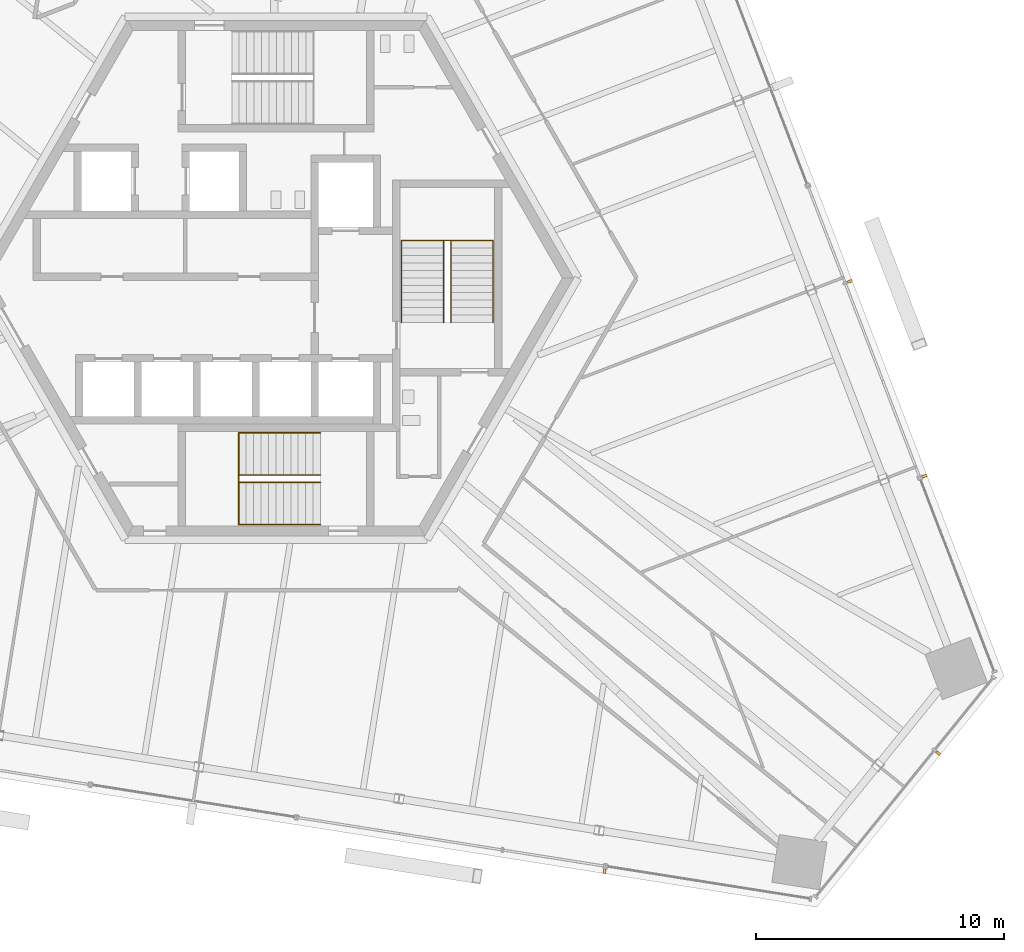
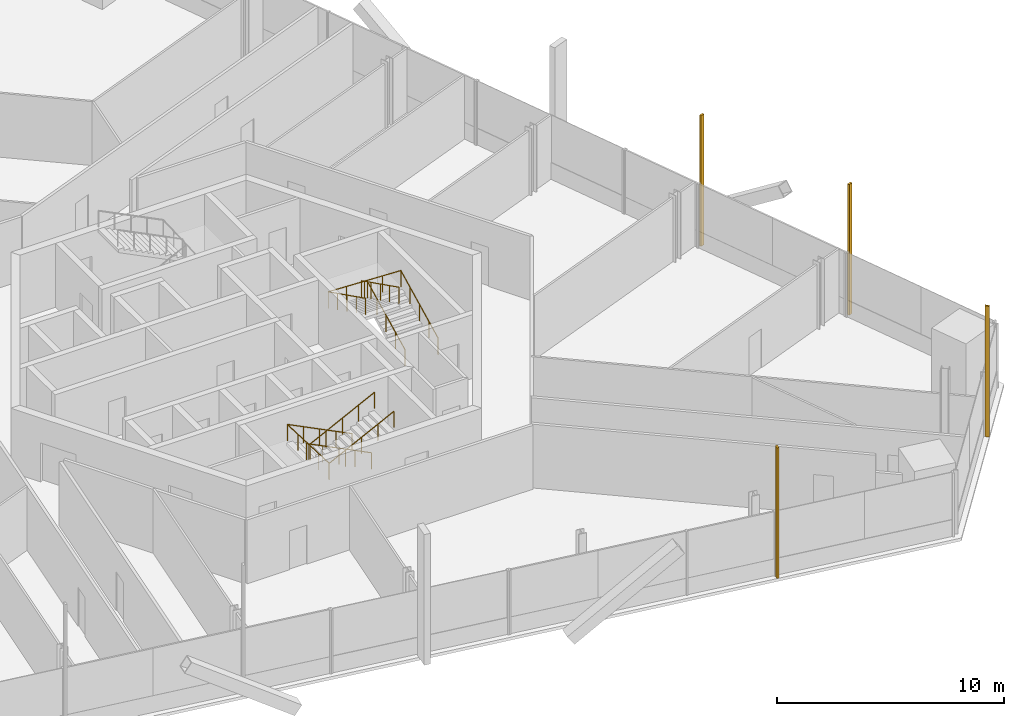
# One storey, part 17 of 21: 4 railings, 4 shading devices.
"""IFC4 building model written with IfcOpenShell, lengths in metres."""

from ifc_helpers import new_model, si_unit, direction, frame, origin, origin_2d, place, context, subcontext, project, spatial, rectangle, circle, extrude, source, transform, mapped, material, type_object, element, save


model = new_model("IFC4")

# Units and contexts
model_context = context("Model", 3, precision=1e-05, world=origin(), true_north=direction((0.0, 1.0)))
body_context = subcontext(model_context, "Body", "Model", "MODEL_VIEW")
ifc_project = project(units=[si_unit("LENGTHUNIT", "METRE"), si_unit("AREAUNIT", "SQUARE_METRE"), si_unit("VOLUMEUNIT", "CUBIC_METRE"), si_unit("PLANEANGLEUNIT", "RADIAN"), si_unit("MASSUNIT", "GRAM", prefix="KILO")], contexts=[model_context])

# Site, building, storey
site_placement = place(None, origin())
site = spatial("IfcSite", under=ifc_project, at=site_placement, CompositionType="ELEMENT")
building_placement = place(site_placement, origin())
building = spatial("IfcBuilding", under=site, at=building_placement, Name="Triune Harvest Tower", CompositionType="ELEMENT")
storey_placement = place(building_placement, frame((0.0, 0.0, 160.5)))
storey = spatial("IfcBuildingStorey", under=building, at=storey_placement, Name="L41", CompositionType="ELEMENT", Elevation=160.5)

# Railings
ifc_material_1 = material(Name="Stainless steel AISI 316", Category="steel")
railing_type = type_object("IfcRailingType", Name="Stair handrail", PredefinedType="HANDRAIL", material=ifc_material_1)
shared_shape_1 = source(origin(), body_context, "Body", "SweptSolid", [
    extrude(circle(Radius=0.02392578125, at=origin_2d()), frame((0.0, 0.0, 0.8759765625), z_axis=(-0.894413956696, 0.0, 0.447240063129), x_axis=(0.0, -1.0, 0.0)), (0.0, 0.0, 1.0), 3.689697265625),
    extrude(circle(Radius=0.02392578125, at=origin_2d()), frame((-3.300048828125, 0.0, 2.52587890625), z_axis=(0.0, -0.999180289278, 0.040481471304), x_axis=(1.0, 0.0, 0.0)), (0.0, 0.0, 1.0), 3.702880859375),
    extrude(circle(Radius=0.02392578125, at=origin_2d()), frame((-3.300048828125, -3.699951171875, 2.67578125), z_axis=(0.894413956696, 0.0, 0.447240063129), x_axis=(0.0, 1.0, 0.0)), (0.0, 0.0, 1.0), 3.689697265625),
    extrude(circle(Radius=0.02099609375, at=origin_2d()), origin(), (0.0, 0.0, 1.0), 0.851806640625),
    extrude(circle(Radius=0.02099609375, at=origin_2d()), frame((-0.824951171875, 0.0, 0.41259765625)), (0.0, 0.0, 1.0), 0.851806640625),
    extrude(circle(Radius=0.02099609375, at=origin_2d()), frame((-1.64990234375, 0.0, 0.8251953125)), (0.0, 0.0, 1.0), 0.851806640625),
    extrude(circle(Radius=0.02099609375, at=origin_2d()), frame((-2.47509765625, 0.0, 1.237548828125)), (0.0, 0.0, 1.0), 0.851806640625),
    extrude(circle(Radius=0.02099609375, at=origin_2d()), frame((-3.300048828125, 0.0, 1.650146484375)), (0.0, 0.0, 1.0), 0.851806640625),
    extrude(circle(Radius=0.02099609375, at=origin_2d()), frame((-3.300048828125, -0.925048828125, 1.6875)), (0.0, 0.0, 1.0), 0.851806640625),
    extrude(circle(Radius=0.02099609375, at=origin_2d()), frame((-3.300048828125, -1.85009765625, 1.72509765625)), (0.0, 0.0, 1.0), 0.851806640625),
    extrude(circle(Radius=0.02099609375, at=origin_2d()), frame((-3.300048828125, -2.77490234375, 1.7626953125)), (0.0, 0.0, 1.0), 0.851806640625),
    extrude(circle(Radius=0.02099609375, at=origin_2d()), frame((-3.300048828125, -3.699951171875, 1.800048828125)), (0.0, 0.0, 1.0), 0.851806640625),
    extrude(circle(Radius=0.02099609375, at=origin_2d()), frame((-2.47509765625, -3.699951171875, 2.212646484375)), (0.0, 0.0, 1.0), 0.851806640625),
    extrude(circle(Radius=0.02099609375, at=origin_2d()), frame((-1.64990234375, -3.699951171875, 2.625)), (0.0, 0.0, 1.0), 0.851806640625),
    extrude(circle(Radius=0.02099609375, at=origin_2d()), frame((-0.824951171875, -3.699951171875, 3.03759765625)), (0.0, 0.0, 1.0), 0.851806640625),
    extrude(circle(Radius=0.02099609375, at=origin_2d()), frame((0.0, -3.699951171875, 3.4501953125)), (0.0, 0.0, 1.0), 0.851806640625),
])
railing_1_placement = place(storey_placement, frame((1.7900390625, -6.239990234375, 0.14990234375)))
element("IfcRailing", 1, at=railing_1_placement, inside=storey, type_object=railing_type, Name="Exit stair south wall handrail", PredefinedType="HANDRAIL", context=body_context, shape_type="MappedRepresentation", body=[
    mapped(shared_shape_1, transform((0.0, 0.0, 0.0), scale=1.0)),
])
shared_shape_2 = source(origin(), body_context, "Body", "SweptSolid", [
    extrude(circle(Radius=0.02392578125, at=origin_2d()), frame((0.0, 0.0, 0.8759765625), z_axis=(-0.894413956696, 0.0, 0.447240063129), x_axis=(0.0, -1.0, 0.0)), (0.0, 0.0, 1.0), 3.689697265625),
    extrude(circle(Radius=0.02392578125, at=origin_2d()), frame((-3.300048828125, 0.0, 2.52587890625), z_axis=(0.0, -0.894572720946, 0.446922417137), x_axis=(1.0, 0.0, 0.0)), (0.0, 0.0, 1.0), 0.33544921875),
    extrude(circle(Radius=0.02392578125, at=origin_2d()), frame((-3.300048828125, -0.300048828125, 2.67578125), z_axis=(0.894413956696, 0.0, 0.447240063129), x_axis=(0.0, 1.0, 0.0)), (0.0, 0.0, 1.0), 3.689697265625),
    extrude(circle(Radius=0.02099609375, at=origin_2d()), origin(), (0.0, 0.0, 1.0), 0.851806640625),
    extrude(circle(Radius=0.02099609375, at=origin_2d()), frame((-0.824951171875, 0.0, 0.41259765625)), (0.0, 0.0, 1.0), 0.851806640625),
    extrude(circle(Radius=0.02099609375, at=origin_2d()), frame((-1.64990234375, 0.0, 0.8251953125)), (0.0, 0.0, 1.0), 0.851806640625),
    extrude(circle(Radius=0.02099609375, at=origin_2d()), frame((-2.47509765625, 0.0, 1.237548828125)), (0.0, 0.0, 1.0), 0.851806640625),
    extrude(circle(Radius=0.02099609375, at=origin_2d()), frame((-3.300048828125, 0.0, 1.650146484375)), (0.0, 0.0, 1.0), 0.851806640625),
    extrude(circle(Radius=0.02099609375, at=origin_2d()), frame((-3.300048828125, -0.300048828125, 1.800048828125)), (0.0, 0.0, 1.0), 0.851806640625),
    extrude(circle(Radius=0.02099609375, at=origin_2d()), frame((-2.47509765625, -0.300048828125, 2.212646484375)), (0.0, 0.0, 1.0), 0.851806640625),
    extrude(circle(Radius=0.02099609375, at=origin_2d()), frame((-1.64990234375, -0.300048828125, 2.625)), (0.0, 0.0, 1.0), 0.851806640625),
    extrude(circle(Radius=0.02099609375, at=origin_2d()), frame((-0.824951171875, -0.300048828125, 3.03759765625)), (0.0, 0.0, 1.0), 0.851806640625),
    extrude(circle(Radius=0.02099609375, at=origin_2d()), frame((0.0, -0.300048828125, 3.4501953125)), (0.0, 0.0, 1.0), 0.851806640625),
])
railing_2_placement = place(storey_placement, frame((1.7900390625, -7.93994140625, 0.14990234375)))
element("IfcRailing", 2, at=railing_2_placement, inside=storey, type_object=railing_type, Name="Exit stair south centre handrail", PredefinedType="HANDRAIL", context=body_context, shape_type="MappedRepresentation", body=[
    mapped(shared_shape_2, transform((0.0, 0.0, 0.0), scale=1.0)),
])
shared_shape_3 = source(origin(), body_context, "Body", "SweptSolid", [
    extrude(circle(Radius=0.02392578125, at=origin_2d()), frame((0.0, 0.0, 0.8759765625), z_axis=(0.0, 0.894413956696, 0.447240063129), x_axis=(-1.0, 0.0, 0.0)), (0.0, 0.0, 1.0), 3.689697265625),
    extrude(circle(Radius=0.02392578125, at=origin_2d()), frame((0.0, 3.300048828125, 2.52587890625), z_axis=(-0.999180289278, 0.0, 0.040481471304), x_axis=(0.0, -1.0, 0.0)), (0.0, 0.0, 1.0), 3.702880859375),
    extrude(circle(Radius=0.02392578125, at=origin_2d()), frame((-3.699951171875, 3.300048828125, 2.67578125), z_axis=(0.0, -0.894413956696, 0.447240063129), x_axis=(1.0, 0.0, 0.0)), (0.0, 0.0, 1.0), 3.689697265625),
    extrude(circle(Radius=0.02099609375, at=origin_2d()), origin(), (0.0, 0.0, 1.0), 0.851806640625),
    extrude(circle(Radius=0.02099609375, at=origin_2d()), frame((0.0, 0.824951171875, 0.41259765625)), (0.0, 0.0, 1.0), 0.851806640625),
    extrude(circle(Radius=0.02099609375, at=origin_2d()), frame((0.0, 1.64990234375, 0.8251953125)), (0.0, 0.0, 1.0), 0.851806640625),
    extrude(circle(Radius=0.02099609375, at=origin_2d()), frame((0.0, 2.47509765625, 1.237548828125)), (0.0, 0.0, 1.0), 0.851806640625),
    extrude(circle(Radius=0.02099609375, at=origin_2d()), frame((0.0, 3.300048828125, 1.650146484375)), (0.0, 0.0, 1.0), 0.851806640625),
    extrude(circle(Radius=0.02099609375, at=origin_2d()), frame((-0.925048828125, 3.300048828125, 1.6875)), (0.0, 0.0, 1.0), 0.851806640625),
    extrude(circle(Radius=0.02099609375, at=origin_2d()), frame((-1.85009765625, 3.300048828125, 1.72509765625)), (0.0, 0.0, 1.0), 0.851806640625),
    extrude(circle(Radius=0.02099609375, at=origin_2d()), frame((-2.77490234375, 3.300048828125, 1.7626953125)), (0.0, 0.0, 1.0), 0.851806640625),
    extrude(circle(Radius=0.02099609375, at=origin_2d()), frame((-3.699951171875, 3.300048828125, 1.800048828125)), (0.0, 0.0, 1.0), 0.851806640625),
    extrude(circle(Radius=0.02099609375, at=origin_2d()), frame((-3.699951171875, 2.47509765625, 2.212646484375)), (0.0, 0.0, 1.0), 0.851806640625),
    extrude(circle(Radius=0.02099609375, at=origin_2d()), frame((-3.699951171875, 1.64990234375, 2.625)), (0.0, 0.0, 1.0), 0.851806640625),
    extrude(circle(Radius=0.02099609375, at=origin_2d()), frame((-3.699951171875, 0.824951171875, 3.03759765625)), (0.0, 0.0, 1.0), 0.851806640625),
    extrude(circle(Radius=0.02099609375, at=origin_2d()), frame((-3.699951171875, 0.0, 3.4501953125)), (0.0, 0.0, 1.0), 0.851806640625),
])
railing_3_placement = place(storey_placement, frame((8.75, -1.7900390625, 0.14990234375)))
element("IfcRailing", 3, at=railing_3_placement, inside=storey, type_object=railing_type, Name="Exit stair east wall handrail", PredefinedType="HANDRAIL", context=body_context, shape_type="MappedRepresentation", body=[
    mapped(shared_shape_3, transform((0.0, 0.0, 0.0), scale=1.0)),
])
shared_shape_4 = source(origin(), body_context, "Body", "SweptSolid", [
    extrude(circle(Radius=0.02392578125, at=origin_2d()), frame((0.0, 0.0, 0.8759765625), z_axis=(0.0, 0.894413956696, 0.447240063129), x_axis=(-1.0, 0.0, 0.0)), (0.0, 0.0, 1.0), 3.689697265625),
    extrude(circle(Radius=0.02392578125, at=origin_2d()), frame((0.0, 3.300048828125, 2.52587890625), z_axis=(-0.894572720946, 0.0, 0.446922417137), x_axis=(0.0, -1.0, 0.0)), (0.0, 0.0, 1.0), 0.33544921875),
    extrude(circle(Radius=0.02392578125, at=origin_2d()), frame((-0.300048828125, 3.300048828125, 2.67578125), z_axis=(0.0, -0.894413956696, 0.447240063129), x_axis=(1.0, 0.0, 0.0)), (0.0, 0.0, 1.0), 3.689697265625),
    extrude(circle(Radius=0.02099609375, at=origin_2d()), origin(), (0.0, 0.0, 1.0), 0.851806640625),
    extrude(circle(Radius=0.02099609375, at=origin_2d()), frame((0.0, 0.824951171875, 0.41259765625)), (0.0, 0.0, 1.0), 0.851806640625),
    extrude(circle(Radius=0.02099609375, at=origin_2d()), frame((0.0, 1.64990234375, 0.8251953125)), (0.0, 0.0, 1.0), 0.851806640625),
    extrude(circle(Radius=0.02099609375, at=origin_2d()), frame((0.0, 2.47509765625, 1.237548828125)), (0.0, 0.0, 1.0), 0.851806640625),
    extrude(circle(Radius=0.02099609375, at=origin_2d()), frame((0.0, 3.300048828125, 1.650146484375)), (0.0, 0.0, 1.0), 0.851806640625),
    extrude(circle(Radius=0.02099609375, at=origin_2d()), frame((-0.300048828125, 3.300048828125, 1.800048828125)), (0.0, 0.0, 1.0), 0.851806640625),
    extrude(circle(Radius=0.02099609375, at=origin_2d()), frame((-0.300048828125, 2.47509765625, 2.212646484375)), (0.0, 0.0, 1.0), 0.851806640625),
    extrude(circle(Radius=0.02099609375, at=origin_2d()), frame((-0.300048828125, 1.64990234375, 2.625)), (0.0, 0.0, 1.0), 0.851806640625),
    extrude(circle(Radius=0.02099609375, at=origin_2d()), frame((-0.300048828125, 0.824951171875, 3.03759765625)), (0.0, 0.0, 1.0), 0.851806640625),
    extrude(circle(Radius=0.02099609375, at=origin_2d()), frame((-0.300048828125, 0.0, 3.4501953125)), (0.0, 0.0, 1.0), 0.851806640625),
])
railing_4_placement = place(storey_placement, frame((7.050048828125, -1.7900390625, 0.14990234375)))
element("IfcRailing", 4, at=railing_4_placement, inside=storey, type_object=railing_type, Name="Exit stair east centre handrail", PredefinedType="HANDRAIL", context=body_context, shape_type="MappedRepresentation", body=[
    mapped(shared_shape_4, transform((0.0, 0.0, 0.0), scale=1.0)),
])

# Shading devices
ifc_material_2 = material(Name="Aluminium bronze anodised", Category="aluminium")
shared_shape_5 = source(origin(), body_context, "Body", "SweptSolid", [
    extrude(rectangle(XDim=0.10009765625, YDim=0.199951171875, at=origin_2d()), origin(), (0.0, 0.0, 1.0), 7.0400390625),
])
for number, where, z_axis, x_axis, name in (
    (5, (26.148681640625, -7.98388671875, 0.0), (0.0, 0.0, 1.0), (-0.35836927228, 0.933579918746, 0.0), "FN-1 fin B4-F1.3 L41"),
    (6, (23.134033203125, -0.13037109375, 0.0), (0.0, 0.0, 1.0), (-0.35836927228, 0.933579918746, 0.0), "FN-1 fin B4-F1.5 L41"),
    (7, (13.24609375, -23.917236328125, 0.0), (0.0, 0.0, 1.0), (0.987688259912, -0.156434974453, 0.0), "FN-1 fin B4-F5.11 L41"),
    (8, (26.700927734375, -19.1611328125, 0.0), (0.0, 0.0, 1.0), (0.629320905414, 0.777145544932, 0.0), "FN-1 fin B4-F6.3 L41"),
):
    element("IfcShadingDevice", number, at=place(storey_placement, frame(where, z_axis=z_axis, x_axis=x_axis)), inside=storey, material=ifc_material_2, Name=name, ObjectType="FIN", PredefinedType="USERDEFINED", context=body_context, shape_type="MappedRepresentation", body=[
        mapped(shared_shape_5, transform((0.0, 0.0, 0.0), scale=1.0)),
    ])

save(model, "model.ifc")
